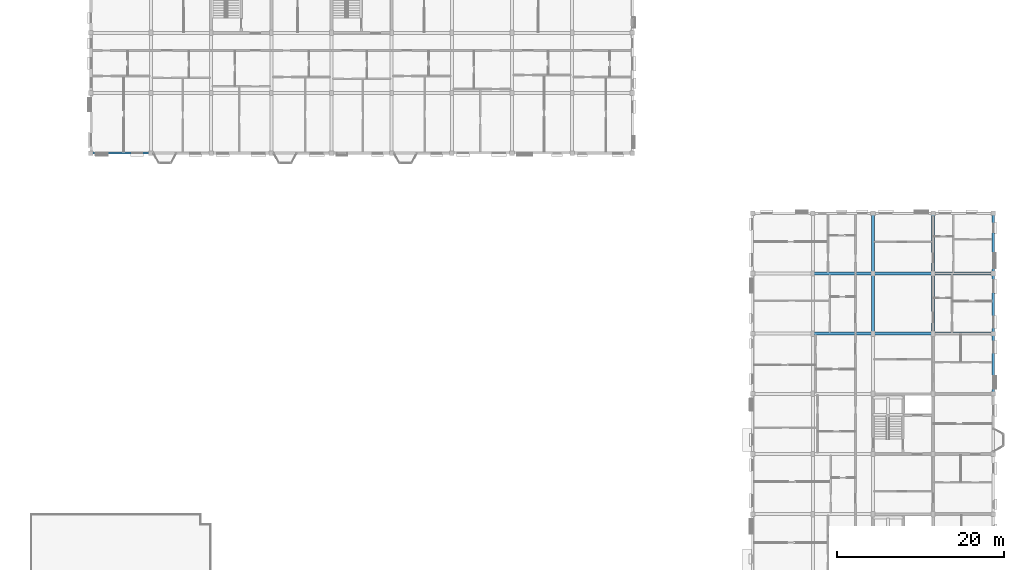
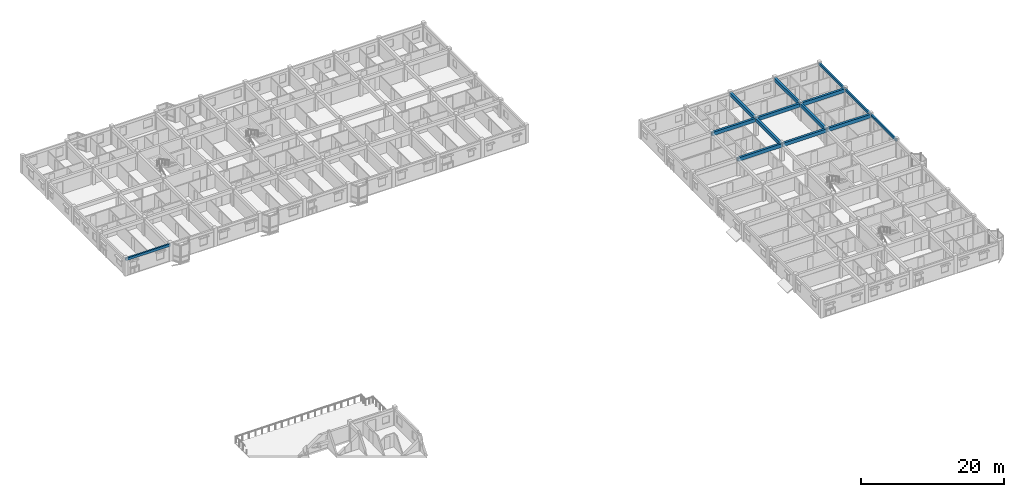
# One storey, part 26 of 75: 14 beams.
"""IFC4 building model written with IfcOpenShell, lengths in metres."""

from ifc_helpers import new_model, si_unit, direction, frame, origin, origin_2d, place, context, subcontext, project, spatial, rectangle, extrude, material, material_profile, profile_set, type_object, element, save


model = new_model("IFC4")

# Units and contexts
model_context = context("Model", 3, precision=1e-05, world=origin(), true_north=direction((0.0, 1.0)))
body_context = subcontext(model_context, "Body", "Model", "MODEL_VIEW")
ifc_project = project(units=[si_unit("LENGTHUNIT", "METRE"), si_unit("AREAUNIT", "SQUARE_METRE"), si_unit("VOLUMEUNIT", "CUBIC_METRE"), si_unit("PLANEANGLEUNIT", "RADIAN"), si_unit("MASSUNIT", "GRAM", prefix="KILO"), si_unit("THERMODYNAMICTEMPERATUREUNIT", "KELVIN"), si_unit("POWERUNIT", "WATT")], contexts=[model_context])

# Site, building, storey
site_placement = place(None, origin())
site = spatial("IfcSite", under=ifc_project, at=site_placement, CompositionType="ELEMENT")
building_placement = place(site_placement, origin())
building = spatial("IfcBuilding", under=site, at=building_placement, Name="Tavuni Mirador Residences", CompositionType="ELEMENT")
storey_placement = place(building_placement, frame((0.0, 0.0, 20.25)))
storey = spatial("IfcBuildingStorey", under=building, at=storey_placement, Name="L06", CompositionType="ELEMENT", Elevation=20.25)

# Beams
ifc_material = material(Name="Precast concrete C40/50", Category="concrete")
ifc_material_profile_1 = material_profile(ifc_material, rectangle(XDim=0.35009765625, YDim=0.60009765625, at=origin_2d()), Name="PC 350x600", Category="concrete")
ifc_profile_set_1 = profile_set([ifc_material_profile_1], Name="Precast concrete C40/50")
beam_type_1 = type_object("IfcBeamType", Name="BT-B600", PredefinedType="BEAM", material=ifc_profile_set_1)
beam_1_placement = place(storey_placement, frame((97.199951171875, 122.39990234375, 2.590087890625), z_axis=(1.0, 0.0, 0.0), x_axis=(0.0, 1.0, 0.0)))
element("IfcBeam", 1, at=beam_1_placement, inside=storey, type_object=beam_type_1, Name="BMX-BLK-D-L06-01-05", PredefinedType="BEAM", context=body_context, shape_type="SweptSolid", body=[
    extrude(rectangle(XDim=0.35009765625, YDim=0.60009765625, at=origin_2d()), origin(), (0.0, 0.0, 1.0), 7.199951171875),
])
beam_2_placement = place(storey_placement, frame((104.39990234375, 122.39990234375, 2.590087890625), z_axis=(1.0, 0.0, 0.0), x_axis=(0.0, 1.0, 0.0)))
element("IfcBeam", 2, at=beam_2_placement, inside=storey, type_object=beam_type_1, Name="BMX-BLK-D-L06-02-05", PredefinedType="BEAM", context=body_context, shape_type="SweptSolid", body=[
    extrude(rectangle(XDim=0.35009765625, YDim=0.60009765625, at=origin_2d()), origin(), (0.0, 0.0, 1.0), 7.2001953125),
])
for number, where, z_axis, x_axis, name in (
    (3, (111.60009765625, 122.39990234375, 2.590087890625), (1.0, 0.0, 0.0), (0.0, 1.0, 0.0), "BMX-BLK-D-L06-03-05"),
    (4, (97.199951171875, 129.60009765625, 2.590087890625), (1.0, 0.0, 0.0), (0.0, 1.0, 0.0), "BMX-BLK-D-L06-01-06"),
):
    element("IfcBeam", number, at=place(storey_placement, frame(where, z_axis=z_axis, x_axis=x_axis)), inside=storey, type_object=beam_type_1, Name=name, PredefinedType="BEAM", context=body_context, shape_type="SweptSolid", body=[
        extrude(rectangle(XDim=0.35009765625, YDim=0.60009765625, at=origin_2d()), origin(), (0.0, 0.0, 1.0), 7.199951171875),
    ])
beam_3_placement = place(storey_placement, frame((104.39990234375, 129.60009765625, 2.590087890625), z_axis=(1.0, 0.0, 0.0), x_axis=(0.0, 1.0, 0.0)))
element("IfcBeam", 5, at=beam_3_placement, inside=storey, type_object=beam_type_1, Name="BMX-BLK-D-L06-02-06", PredefinedType="BEAM", context=body_context, shape_type="SweptSolid", body=[
    extrude(rectangle(XDim=0.35009765625, YDim=0.60009765625, at=origin_2d()), origin(), (0.0, 0.0, 1.0), 7.2001953125),
])
beam_4_placement = place(storey_placement, frame((111.60009765625, 129.60009765625, 2.590087890625), z_axis=(1.0, 0.0, 0.0), x_axis=(0.0, 1.0, 0.0)))
element("IfcBeam", 6, at=beam_4_placement, inside=storey, type_object=beam_type_1, Name="BMX-BLK-D-L06-03-06", PredefinedType="BEAM", context=body_context, shape_type="SweptSolid", body=[
    extrude(rectangle(XDim=0.35009765625, YDim=0.60009765625, at=origin_2d()), origin(), (0.0, 0.0, 1.0), 7.199951171875),
])
beam_5_placement = place(storey_placement, frame((104.39990234375, 122.39990234375, 2.590087890625), z_axis=(0.0, 1.0, 0.0), x_axis=(-1.0, 0.0, 0.0)))
element("IfcBeam", 7, at=beam_5_placement, inside=storey, type_object=beam_type_1, Name="BMY-BLK-D-L06-02-05", PredefinedType="BEAM", context=body_context, shape_type="SweptSolid", body=[
    extrude(rectangle(XDim=0.35009765625, YDim=0.60009765625, at=origin_2d()), origin(), (0.0, 0.0, 1.0), 7.2001953125),
])
beam_6_placement = place(storey_placement, frame((104.39990234375, 129.60009765625, 2.590087890625), z_axis=(0.0, 1.0, 0.0), x_axis=(-1.0, 0.0, 0.0)))
element("IfcBeam", 8, at=beam_6_placement, inside=storey, type_object=beam_type_1, Name="BMY-BLK-D-L06-02-06", PredefinedType="BEAM", context=body_context, shape_type="SweptSolid", body=[
    extrude(rectangle(XDim=0.35009765625, YDim=0.60009765625, at=origin_2d()), origin(), (0.0, 0.0, 1.0), 7.199951171875),
])
beam_7_placement = place(storey_placement, frame((111.60009765625, 122.39990234375, 2.590087890625), z_axis=(0.0, 1.0, 0.0), x_axis=(-1.0, 0.0, 0.0)))
element("IfcBeam", 9, at=beam_7_placement, inside=storey, type_object=beam_type_1, Name="BMY-BLK-D-L06-03-05", PredefinedType="BEAM", context=body_context, shape_type="SweptSolid", body=[
    extrude(rectangle(XDim=0.35009765625, YDim=0.60009765625, at=origin_2d()), origin(), (0.0, 0.0, 1.0), 7.2001953125),
])
beam_8_placement = place(storey_placement, frame((111.60009765625, 129.60009765625, 2.590087890625), z_axis=(0.0, 1.0, 0.0), x_axis=(-1.0, 0.0, 0.0)))
element("IfcBeam", 10, at=beam_8_placement, inside=storey, type_object=beam_type_1, Name="BMY-BLK-D-L06-03-06", PredefinedType="BEAM", context=body_context, shape_type="SweptSolid", body=[
    extrude(rectangle(XDim=0.35009765625, YDim=0.60009765625, at=origin_2d()), origin(), (0.0, 0.0, 1.0), 7.199951171875),
])
ifc_material_profile_2 = material_profile(ifc_material, rectangle(XDim=0.25, YDim=0.419921875, at=origin_2d()), Name="PC 250x420", Category="concrete")
ifc_profile_set_2 = profile_set([ifc_material_profile_2], Name="Precast concrete C40/50")
beam_type_2 = type_object("IfcBeamType", Name="BT-SP420", PredefinedType="SPANDREL", material=ifc_profile_set_2)
for number, where, z_axis, x_axis, name in (
    (11, (10.800048828125, 144.0, 2.675048828125), (1.0, 0.0, 0.0), (0.0, 1.0, 0.0), "BMX-BLK-C-L06-00-00"),
    (12, (118.800048828125, 115.199951171875, 2.679931640625), (0.0, 1.0, 0.0), (-1.0, 0.0, 0.0), "BMY-BLK-D-L06-04-04"),
):
    element("IfcBeam", number, at=place(storey_placement, frame(where, z_axis=z_axis, x_axis=x_axis)), inside=storey, type_object=beam_type_2, Name=name, PredefinedType="SPANDREL", context=body_context, shape_type="SweptSolid", body=[
        extrude(rectangle(XDim=0.25, YDim=0.419921875, at=origin_2d()), origin(), (0.0, 0.0, 1.0), 7.199951171875),
    ])
beam_9_placement = place(storey_placement, frame((118.800048828125, 122.39990234375, 2.679931640625), z_axis=(0.0, 1.0, 0.0), x_axis=(-1.0, 0.0, 0.0)))
element("IfcBeam", 13, at=beam_9_placement, inside=storey, type_object=beam_type_2, Name="BMY-BLK-D-L06-04-05", PredefinedType="SPANDREL", context=body_context, shape_type="SweptSolid", body=[
    extrude(rectangle(XDim=0.25, YDim=0.419921875, at=origin_2d()), origin(), (0.0, 0.0, 1.0), 7.2001953125),
])
beam_10_placement = place(storey_placement, frame((118.800048828125, 129.60009765625, 2.679931640625), z_axis=(0.0, 1.0, 0.0), x_axis=(-1.0, 0.0, 0.0)))
element("IfcBeam", 14, at=beam_10_placement, inside=storey, type_object=beam_type_2, Name="BMY-BLK-D-L06-04-06", PredefinedType="SPANDREL", context=body_context, shape_type="SweptSolid", body=[
    extrude(rectangle(XDim=0.25, YDim=0.419921875, at=origin_2d()), origin(), (0.0, 0.0, 1.0), 7.199951171875),
])

save(model, "model.ifc")
